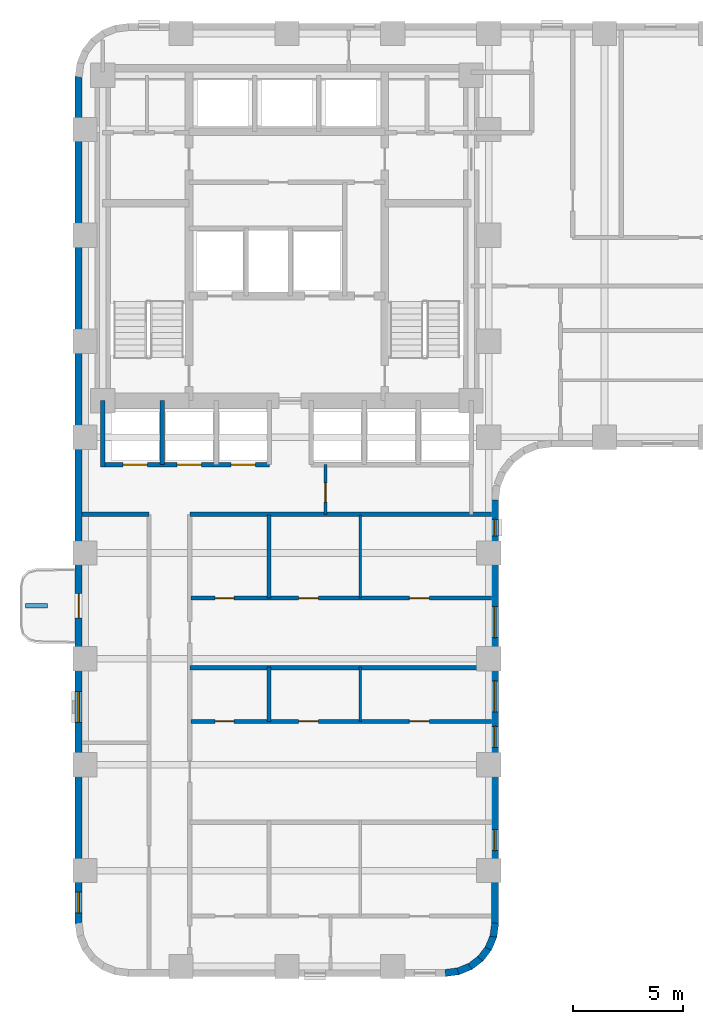
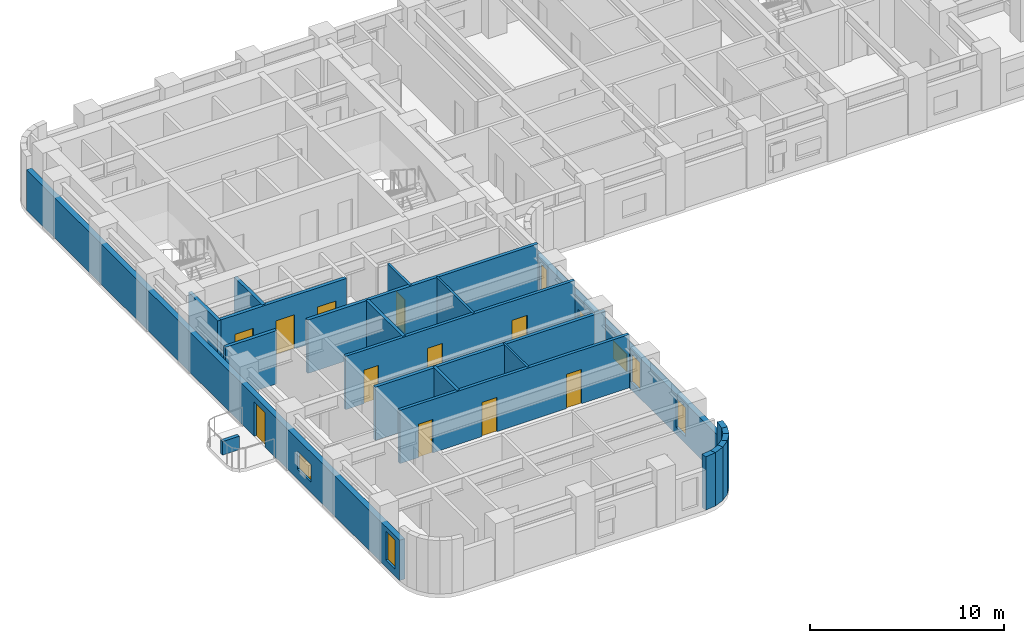
# One storey, part 3 of 10: 22 walls, 11 doors, 7 windows, 18 openings.
"""IFC4 building model written with IfcOpenShell, lengths in metres."""

from ifc_helpers import new_model, si_unit, direction, frame, frame_2d, origin, place, context, subcontext, project, spatial, rectangle, extrude, material, layer, layer_set, type_object, element, fill, save


model = new_model("IFC4")

# Units and contexts
model_context = context("Model", 3, precision=1e-05, world=origin(), true_north=direction((0.0, 1.0)))
body_context = subcontext(model_context, "Body", "Model", "MODEL_VIEW")
ifc_project = project(units=[si_unit("LENGTHUNIT", "METRE"), si_unit("AREAUNIT", "SQUARE_METRE"), si_unit("VOLUMEUNIT", "CUBIC_METRE"), si_unit("PLANEANGLEUNIT", "RADIAN"), si_unit("MASSUNIT", "GRAM", prefix="KILO")], contexts=[model_context])

# Site, building, storey
site_placement = place(None, origin())
site = spatial("IfcSite", under=ifc_project, at=site_placement, CompositionType="ELEMENT")
building_placement = place(site_placement, origin())
building = spatial("IfcBuilding", under=site, at=building_placement, Name="Orvandelia Arch Residences", CompositionType="ELEMENT")
storey_placement = place(building_placement, frame((0.0, 0.0, 75.39990234375)))
storey = spatial("IfcBuildingStorey", under=building, at=storey_placement, Name="L19", CompositionType="ELEMENT", Elevation=75.39990234375)

# Walls
ifc_material_1 = material(Name="Fire-Rated Corridor Partition")
ifc_layer_1 = layer(ifc_material_1, 0.199951171875, Name="Fire-Rated Corridor Partition")
ifc_layer_set_1 = layer_set([ifc_layer_1], Name="Fire-Rated Corridor Partition")
wall_type_1 = type_object("IfcWallType", Name="WL-CORR-200", PredefinedType="PARTITIONING", material=ifc_layer_set_1)
wall_1_placement = place(storey_placement, frame((5.1201171875, 25.75, 0.0), z_axis=(0.0, 0.0, 1.0), x_axis=(1.0, 0.0, 0.0)))
element("IfcWall", 1, at=wall_1_placement, inside=storey, type_object=wall_type_1, Name="Interior Partition Wall WL-L19-WCLS-W", PredefinedType="PARTITIONING", context=body_context, shape_type="SweptSolid", body=[
    extrude(rectangle(XDim=3.02978515625, YDim=0.199951171875, at=frame_2d((1.514892578125, 0.0))), origin(), (0.0, 0.0, 1.0), 3.35009765625),
])
wall_2_placement = place(storey_placement, frame((10.0, 25.75, 0.0), z_axis=(0.0, 0.0, 1.0), x_axis=(1.0, 0.0, 0.0)))
element("IfcWall", 2, at=wall_2_placement, inside=storey, type_object=wall_type_1, Name="Interior Partition Wall WL-L19-WCLS-E", PredefinedType="PARTITIONING", context=body_context, shape_type="SweptSolid", body=[
    extrude(rectangle(XDim=13.679931640625, YDim=0.199951171875, at=frame_2d((6.83984375, 0.0))), origin(), (0.0, 0.0, 1.0), 3.35009765625),
])
ifc_material_2 = material(Name="Concrete C40/50", Category="concrete")
ifc_layer_2 = layer(ifc_material_2, 0.199951171875, Name="Concrete C40/50", Category="concrete")
ifc_layer_set_2 = layer_set([ifc_layer_2], Name="Concrete C40/50")
wall_type_2 = type_object("IfcWallType", Name="WL-DEM-200", PredefinedType="SOLIDWALL", material=ifc_layer_set_2)
wall_3_placement = place(storey_placement, frame((10.0, 18.800048828125, 0.0), z_axis=(0.0, 0.0, 1.0), x_axis=(1.0, 0.0, 0.0)))
element("IfcWall", 3, at=wall_3_placement, inside=storey, type_object=wall_type_2, Name="Interior Partition Wall WL-L19-DEM-WR-188", PredefinedType="SOLIDWALL", context=body_context, shape_type="SweptSolid", body=[
    extrude(rectangle(XDim=13.679931640625, YDim=0.199951171875, at=frame_2d((6.83984375, 0.0))), origin(), (0.0, 0.0, 1.0), 3.35009765625),
])

# Wall, openings, windows
ifc_material_3 = material(Name="Precast concrete C40/50", Category="concrete")
ifc_layer_3 = layer(ifc_material_3, 0.320068359375, Name="Precast concrete C40/50", Category="concrete")
ifc_layer_set_3 = layer_set([ifc_layer_3], Name="Precast concrete C40/50")
wall_type_3 = type_object("IfcWallType", Name="WL-EXT-STONE-320", PredefinedType="STANDARD", material=ifc_layer_set_3)
wall_4_placement = place(storey_placement, frame((23.840087890625, 26.39990234375, 0.0), z_axis=(0.0, 0.0, 1.0), x_axis=(0.0, -1.0, 0.0)))
wall_4 = element("IfcWall", 4, at=wall_4_placement, inside=storey, type_object=wall_type_3, Name="Coral-Limestone Precast Facade Wall L19-028", PredefinedType="STANDARD", context=body_context, shape_type="SweptSolid", body=[
    extrude(rectangle(XDim=19.199951171875, YDim=0.320068359375, at=frame_2d((9.60009765625, 0.0))), origin(), (0.0, 0.0, 1.0), 2.530029296875),
])
opening_1_placement = place(wall_4_placement, frame((14.93994140625, 0.0, 0.449951171875)))
opening_1 = element("IfcOpeningElement", 5, at=opening_1_placement, cuts=wall_4, Name="Opening W4", PredefinedType="OPENING", context=body_context, shape_type="SweptSolid", body=[
    extrude(rectangle(XDim=0.949951171875, YDim=1.800048828125, at=frame_2d((0.47509765625, 0.89990234375))), frame((0.0, 0.169921875, 0.0), z_axis=(0.0, -1.0, 0.0), x_axis=(1.0, 0.0, 0.0)), (0.0, 0.0, 1.0), 0.340087890625),
])
opening_2_placement = place(wall_4_placement, frame((8.2041015625, 0.0, 0.64990234375)))
opening_2 = element("IfcOpeningElement", 6, at=opening_2_placement, cuts=wall_4, Name="Opening W10", PredefinedType="OPENING", context=body_context, shape_type="SweptSolid", body=[
    extrude(rectangle(XDim=1.39990234375, YDim=1.10009765625, at=frame_2d((0.699951171875, 0.550048828125))), frame((0.0, 0.169921875, 0.0), z_axis=(0.0, -1.0, 0.0), x_axis=(1.0, 0.0, 0.0)), (0.0, 0.0, 1.0), 0.340087890625),
])
opening_3_placement = place(wall_4_placement, frame((0.8798828125, 0.0, 0.449951171875)))
opening_3 = element("IfcOpeningElement", 7, at=opening_3_placement, cuts=wall_4, Name="Opening W11", PredefinedType="OPENING", context=body_context, shape_type="SweptSolid", body=[
    extrude(rectangle(XDim=0.75, YDim=1.800048828125, at=frame_2d((0.375, 0.89990234375))), frame((0.0, 0.169921875, 0.0), z_axis=(0.0, -1.0, 0.0), x_axis=(1.0, 0.0, 0.0)), (0.0, 0.0, 1.0), 0.340087890625),
])
opening_4_placement = place(wall_4_placement, frame((10.259033203125, 0.0, 0.449951171875)))
opening_4 = element("IfcOpeningElement", 8, at=opening_4_placement, cuts=wall_4, Name="Opening W4", PredefinedType="OPENING", context=body_context, shape_type="SweptSolid", body=[
    extrude(rectangle(XDim=0.949951171875, YDim=1.800048828125, at=frame_2d((0.47509765625, 0.89990234375))), frame((0.0, 0.169921875, 0.0), z_axis=(0.0, -1.0, 0.0), x_axis=(1.0, 0.0, 0.0)), (0.0, 0.0, 1.0), 0.340087890625),
])
opening_5_placement = place(wall_4_placement, frame((4.837890625, 0.0, 0.64990234375)))
opening_5 = element("IfcOpeningElement", 9, at=opening_5_placement, cuts=wall_4, Name="Opening W10", PredefinedType="OPENING", context=body_context, shape_type="SweptSolid", body=[
    extrude(rectangle(XDim=1.39990234375, YDim=1.10009765625, at=frame_2d((0.699951171875, 0.550048828125))), frame((0.0, 0.169921875, 0.0), z_axis=(0.0, -1.0, 0.0), x_axis=(1.0, 0.0, 0.0)), (0.0, 0.0, 1.0), 0.340087890625),
])
ifc_material_4 = material(Name="Tempered Low-E Insulated Glazing", Category="glass")
window_type_1 = type_object("IfcWindowType", Name="WIN-BED-0750x1800", PartitioningType="SINGLE_PANEL", PredefinedType="WINDOW", material=ifc_material_4)
window_1_placement = place(opening_3_placement, origin())
window_1 = element("IfcWindow", 10, at=window_1_placement, inside=storey, type_object=window_type_1, Name="Recessed Punched Window L19-021", OverallHeight=1.800048828125, OverallWidth=0.75, PartitioningType="SINGLE_PANEL", PredefinedType="WINDOW", context=body_context, shape_type="SweptSolid", body=[
    extrude(rectangle(XDim=0.75, YDim=1.800048828125, at=frame_2d((0.375, 0.89990234375))), frame((0.0, 0.030029296875, 0.0), z_axis=(0.0, -1.0, 0.0), x_axis=(1.0, 0.0, 0.0)), (0.0, 0.0, 1.0), 0.06005859375),
])
fill(opening_3, window_1)
window_type_2 = type_object("IfcWindowType", Name="WIN-CLR-1400x1100", PartitioningType="SINGLE_PANEL", PredefinedType="WINDOW", material=ifc_material_4)
window_2_placement = place(opening_2_placement, origin())
window_2 = element("IfcWindow", 11, at=window_2_placement, inside=storey, type_object=window_type_2, Name="Recessed Punched Window L19-020", OverallHeight=1.10009765625, OverallWidth=1.39990234375, PartitioningType="SINGLE_PANEL", PredefinedType="WINDOW", context=body_context, shape_type="SweptSolid", body=[
    extrude(rectangle(XDim=1.39990234375, YDim=1.10009765625, at=frame_2d((0.699951171875, 0.550048828125))), frame((0.0, 0.030029296875, 0.0), z_axis=(0.0, -1.0, 0.0), x_axis=(1.0, 0.0, 0.0)), (0.0, 0.0, 1.0), 0.06005859375),
])
fill(opening_2, window_2)
window_3_placement = place(opening_5_placement, origin())
window_3 = element("IfcWindow", 12, at=window_3_placement, inside=storey, type_object=window_type_2, Name="Recessed Punched Window L19-023", OverallHeight=1.10009765625, OverallWidth=1.39990234375, PartitioningType="SINGLE_PANEL", PredefinedType="WINDOW", context=body_context, shape_type="SweptSolid", body=[
    extrude(rectangle(XDim=1.39990234375, YDim=1.10009765625, at=frame_2d((0.699951171875, 0.550048828125))), frame((0.0, 0.030029296875, 0.0), z_axis=(0.0, -1.0, 0.0), x_axis=(1.0, 0.0, 0.0)), (0.0, 0.0, 1.0), 0.06005859375),
])
fill(opening_5, window_3)
window_type_3 = type_object("IfcWindowType", Name="WIN-RES-0950x1800", PartitioningType="SINGLE_PANEL", PredefinedType="WINDOW", material=ifc_material_4)
window_4_placement = place(opening_1_placement, origin())
window_4 = element("IfcWindow", 13, at=window_4_placement, inside=storey, type_object=window_type_3, Name="Recessed Punched Window L19-019", OverallHeight=1.800048828125, OverallWidth=0.949951171875, PartitioningType="SINGLE_PANEL", PredefinedType="WINDOW", context=body_context, shape_type="SweptSolid", body=[
    extrude(rectangle(XDim=0.949951171875, YDim=1.800048828125, at=frame_2d((0.47509765625, 0.89990234375))), frame((0.0, 0.030029296875, 0.0), z_axis=(0.0, -1.0, 0.0), x_axis=(1.0, 0.0, 0.0)), (0.0, 0.0, 1.0), 0.06005859375),
])
fill(opening_1, window_4)
window_5_placement = place(opening_4_placement, origin())
window_5 = element("IfcWindow", 14, at=window_5_placement, inside=storey, type_object=window_type_3, Name="Recessed Punched Window L19-022", OverallHeight=1.800048828125, OverallWidth=0.949951171875, PartitioningType="SINGLE_PANEL", PredefinedType="WINDOW", context=body_context, shape_type="SweptSolid", body=[
    extrude(rectangle(XDim=0.949951171875, YDim=1.800048828125, at=frame_2d((0.47509765625, 0.89990234375))), frame((0.0, 0.030029296875, 0.0), z_axis=(0.0, -1.0, 0.0), x_axis=(1.0, 0.0, 0.0)), (0.0, 0.0, 1.0), 0.06005859375),
])
fill(opening_4, window_5)

# Walls
wall_5_placement = place(storey_placement, frame((23.84130859375, 7.220947265625, 0.0), z_axis=(0.0, 0.0, 1.0), x_axis=(-0.130504898859, -0.991447664465, 0.0)))
element("IfcWall", 15, at=wall_5_placement, inside=storey, type_object=wall_type_3, Name="Coral-Limestone Precast Facade Wall L19-029", PredefinedType="STANDARD", context=body_context, shape_type="SweptSolid", body=[
    extrude(rectangle(XDim=0.626708984375, YDim=0.320068359375, at=frame_2d((0.3134765625, 0.0))), origin(), (0.0, 0.0, 1.0), 3.35009765625),
])
wall_6_placement = place(storey_placement, frame((23.7705078125, 6.639892578125, 0.0), z_axis=(0.0, 0.0, 1.0), x_axis=(-0.382787856107, -0.923836271867, 0.0)))
element("IfcWall", 16, at=wall_6_placement, inside=storey, type_object=wall_type_3, Name="Coral-Limestone Precast Facade Wall L19-030", PredefinedType="STANDARD", context=body_context, shape_type="SweptSolid", body=[
    extrude(rectangle(XDim=0.626220703125, YDim=0.320068359375, at=frame_2d((0.31298828125, 0.0))), origin(), (0.0, 0.0, 1.0), 3.35009765625),
])
wall_7_placement = place(storey_placement, frame((23.551513671875, 6.097412109375, 0.0), z_axis=(0.0, 0.0, 1.0), x_axis=(-0.608693302629, -0.793405610854, 0.0)))
element("IfcWall", 17, at=wall_7_placement, inside=storey, type_object=wall_type_3, Name="Coral-Limestone Precast Facade Wall L19-031", PredefinedType="STANDARD", context=body_context, shape_type="SweptSolid", body=[
    extrude(rectangle(XDim=0.62646484375, YDim=0.320068359375, at=frame_2d((0.313232421875, 0.0))), origin(), (0.0, 0.0, 1.0), 3.35009765625),
])
wall_8_placement = place(storey_placement, frame((23.19970703125, 5.6298828125, 0.0), z_axis=(0.0, 0.0, 1.0), x_axis=(-0.7932174212, -0.608938521285, 0.0)))
element("IfcWall", 18, at=wall_8_placement, inside=storey, type_object=wall_type_3, Name="Coral-Limestone Precast Facade Wall L19-032", PredefinedType="STANDARD", context=body_context, shape_type="SweptSolid", body=[
    extrude(rectangle(XDim=0.626708984375, YDim=0.320068359375, at=frame_2d((0.3134765625, 0.0))), origin(), (0.0, 0.0, 1.0), 3.35009765625),
])
for number, where, z_axis, x_axis, name in (
    (19, (22.73876953125, 5.269287109375, 0.0), (0.0, 0.0, 1.0), (-0.92389335771, -0.382650053678, 0.0), "Coral-Limestone Precast Facade Wall L19-033"),
    (20, (22.2001953125, 5.040283203125, 0.0), (0.0, 0.0, 1.0), (-0.9914410257, -0.130555323746, 0.0), "Coral-Limestone Precast Facade Wall L19-034"),
):
    element("IfcWall", number, at=place(storey_placement, frame(where, z_axis=z_axis, x_axis=x_axis)), inside=storey, type_object=wall_type_3, Name=name, PredefinedType="STANDARD", context=body_context, shape_type="SweptSolid", body=[
        extrude(rectangle(XDim=0.62646484375, YDim=0.320068359375, at=frame_2d((0.313232421875, 0.0))), origin(), (0.0, 0.0, 1.0), 3.35009765625),
    ])

# Wall, openings, door, windows
wall_9_placement = place(storey_placement, frame((4.9599609375, 7.199951171875, 0.0), z_axis=(0.0, 0.0, 1.0), x_axis=(0.0, 1.0, 0.0)))
wall_9 = element("IfcWall", 21, at=wall_9_placement, inside=storey, type_object=wall_type_3, Name="Coral-Limestone Precast Facade Wall L19-042", PredefinedType="STANDARD", context=body_context, shape_type="SweptSolid", body=[
    extrude(rectangle(XDim=38.400146484375, YDim=0.320068359375, at=frame_2d((19.2001953125, 0.0))), origin(), (0.0, 0.0, 1.0), 2.530029296875),
])
opening_6_placement = place(wall_9_placement, frame((13.85009765625, 0.0, 0.0)))
opening_6 = element("IfcOpeningElement", 22, at=opening_6_placement, cuts=wall_9, Name="Opening BD1", PredefinedType="OPENING", context=body_context, shape_type="SweptSolid", body=[
    extrude(rectangle(XDim=1.10009765625, YDim=2.14990234375, at=frame_2d((0.550048828125, 1.074951171875))), frame((0.0, 0.169921875, 0.0), z_axis=(0.0, -1.0, 0.0), x_axis=(1.0, 0.0, 0.0)), (0.0, 0.0, 1.0), 0.340087890625),
])
opening_7_placement = place(wall_9_placement, frame((0.469970703125, 0.0, 0.449951171875)))
opening_7 = element("IfcOpeningElement", 23, at=opening_7_placement, cuts=wall_9, Name="Opening W4", PredefinedType="OPENING", context=body_context, shape_type="SweptSolid", body=[
    extrude(rectangle(XDim=0.949951171875, YDim=1.800048828125, at=frame_2d((0.47509765625, 0.89990234375))), frame((0.0, 0.169921875, 0.0), z_axis=(0.0, -1.0, 0.0), x_axis=(1.0, 0.0, 0.0)), (0.0, 0.0, 1.0), 0.340087890625),
])
opening_8_placement = place(wall_9_placement, frame((9.114990234375, 0.0, 0.64990234375)))
opening_8 = element("IfcOpeningElement", 24, at=opening_8_placement, cuts=wall_9, Name="Opening W10", PredefinedType="OPENING", context=body_context, shape_type="SweptSolid", body=[
    extrude(rectangle(XDim=1.39990234375, YDim=1.10009765625, at=frame_2d((0.699951171875, 0.550048828125))), frame((0.0, 0.169921875, 0.0), z_axis=(0.0, -1.0, 0.0), x_axis=(1.0, 0.0, 0.0)), (0.0, 0.0, 1.0), 0.340087890625),
])
ifc_material_5 = material(Name="Thermally Broken Aluminium Glazed Door", Category="aluminium")
door_type_1 = type_object("IfcDoorType", Name="DR-BAL-GLAZ-1100", OperationType="NOTDEFINED", PredefinedType="DOOR", material=ifc_material_5)
door_1_placement = place(opening_6_placement, origin())
door_1 = element("IfcDoor", 25, at=door_1_placement, inside=storey, type_object=door_type_1, Name="Tree Balcony Glazed Door BAL-L19-W1", OperationType="SINGLE_SWING_RIGHT", OverallHeight=2.14990234375, OverallWidth=1.10009765625, PredefinedType="DOOR", context=body_context, shape_type="SweptSolid", body=[
    extrude(rectangle(XDim=1.10009765625, YDim=2.14990234375, at=frame_2d((0.550048828125, 1.074951171875))), frame((0.0, 0.02490234375, 0.0), z_axis=(0.0, -1.0, 0.0), x_axis=(1.0, 0.0, 0.0)), (0.0, 0.0, 1.0), 0.050048828125),
])
fill(opening_6, door_1)
window_6_placement = place(opening_8_placement, origin())
window_6 = element("IfcWindow", 26, at=window_6_placement, inside=storey, type_object=window_type_2, Name="Recessed Punched Window L19-027", OverallHeight=1.10009765625, OverallWidth=1.39990234375, PartitioningType="SINGLE_PANEL", PredefinedType="WINDOW", context=body_context, shape_type="SweptSolid", body=[
    extrude(rectangle(XDim=1.39990234375, YDim=1.10009765625, at=frame_2d((0.699951171875, 0.550048828125))), frame((0.0, 0.030029296875, 0.0), z_axis=(0.0, -1.0, 0.0), x_axis=(1.0, 0.0, 0.0)), (0.0, 0.0, 1.0), 0.06005859375),
])
fill(opening_8, window_6)
window_7_placement = place(opening_7_placement, origin())
window_7 = element("IfcWindow", 27, at=window_7_placement, inside=storey, type_object=window_type_3, Name="Recessed Punched Window L19-026", OverallHeight=1.800048828125, OverallWidth=0.949951171875, PartitioningType="SINGLE_PANEL", PredefinedType="WINDOW", context=body_context, shape_type="SweptSolid", body=[
    extrude(rectangle(XDim=0.949951171875, YDim=1.800048828125, at=frame_2d((0.47509765625, 0.89990234375))), frame((0.0, 0.030029296875, 0.0), z_axis=(0.0, -1.0, 0.0), x_axis=(1.0, 0.0, 0.0)), (0.0, 0.0, 1.0), 0.06005859375),
])
fill(opening_7, window_7)

# Walls
ifc_material_6 = material(Name="Lightweight Gypsum Stud Partition")
ifc_layer_4 = layer(ifc_material_6, 0.1201171875, Name="Lightweight Gypsum Stud Partition")
ifc_layer_set_4 = layer_set([ifc_layer_4], Name="Lightweight Gypsum Stud Partition")
wall_type_4 = type_object("IfcWallType", Name="WL-PART-120", PredefinedType="PARTITIONING", material=ifc_layer_set_4)
wall_10_placement = place(storey_placement, frame((17.720947265625, 16.362060546875, 0.0), z_axis=(0.0, 0.0, 1.0), x_axis=(0.0, 1.0, 0.0)))
element("IfcWall", 28, at=wall_10_placement, inside=storey, type_object=wall_type_4, Name="Interior Partition Wall WL-L19-U02-V2", PredefinedType="PARTITIONING", context=body_context, shape_type="SweptSolid", body=[
    extrude(rectangle(XDim=2.47802734375, YDim=0.1201171875, at=frame_2d((1.239013671875, 0.0))), origin(), (0.0, 0.0, 1.0), 3.35009765625),
])
wall_11_placement = place(storey_placement, frame((17.720947265625, 21.9541015625, 0.0), z_axis=(0.0, 0.0, 1.0), x_axis=(0.0, 1.0, 0.0)))
element("IfcWall", 29, at=wall_11_placement, inside=storey, type_object=wall_type_4, Name="Interior Partition Wall WL-L19-U03-V2", PredefinedType="PARTITIONING", context=body_context, shape_type="SweptSolid", body=[
    extrude(rectangle(XDim=3.765869140625, YDim=0.1201171875, at=frame_2d((1.8828125, 0.0))), origin(), (0.0, 0.0, 1.0), 3.35009765625),
])

# Wall, opening, door
ifc_material_7 = material(Name="Acoustic Gypsum Stud Partition")
ifc_layer_5 = layer(ifc_material_7, 0.14990234375, Name="Acoustic Gypsum Stud Partition")
ifc_layer_set_5 = layer_set([ifc_layer_5], Name="Acoustic Gypsum Stud Partition")
wall_type_5 = type_object("IfcWallType", Name="WL-PART-150", PredefinedType="PARTITIONING", material=ifc_layer_set_5)
wall_12_placement = place(storey_placement, frame((16.14990234375, 25.75, 0.0), z_axis=(0.0, 0.0, 1.0), x_axis=(0.0, 1.0, 0.0)))
wall_12 = element("IfcWall", 30, at=wall_12_placement, inside=storey, type_object=wall_type_5, Name="Interior Partition Wall WL-L19-HLS-EW", PredefinedType="PARTITIONING", context=body_context, shape_type="SweptSolid", body=[
    extrude(rectangle(XDim=2.25, YDim=0.14990234375, at=frame_2d((1.125, 0.0))), origin(), (0.0, 0.0, 1.0), 3.35009765625),
])
opening_9_placement = place(wall_12_placement, frame((0.550048828125, 0.0, 0.0)))
opening_9 = element("IfcOpeningElement", 31, at=opening_9_placement, cuts=wall_12, Name="Opening D5", PredefinedType="OPENING", context=body_context, shape_type="SweptSolid", body=[
    extrude(rectangle(XDim=0.8798828125, YDim=2.10009765625, at=frame_2d((0.43994140625, 1.050048828125))), frame((0.0, 0.0849609375, 0.0), z_axis=(0.0, -1.0, 0.0), x_axis=(1.0, 0.0, 0.0)), (0.0, 0.0, 1.0), 0.169921875),
])
ifc_material_8 = material(Name="Painted Galvanised Steel Service Door", Category="steel")
door_type_2 = type_object("IfcDoorType", Name="DR-SRV-880", OperationType="NOTDEFINED", PredefinedType="DOOR", material=ifc_material_8)
door_2_placement = place(opening_9_placement, origin())
door_2 = element("IfcDoor", 32, at=door_2_placement, inside=storey, type_object=door_type_2, Name="DR-L19-CSZ1A", OperationType="SINGLE_SWING_LEFT", OverallHeight=2.10009765625, OverallWidth=0.8798828125, PredefinedType="DOOR", context=body_context, shape_type="SweptSolid", body=[
    extrude(rectangle(XDim=0.8798828125, YDim=2.10009765625, at=frame_2d((0.43994140625, 1.050048828125))), frame((0.0, 0.02490234375, 0.0), z_axis=(0.0, -1.0, 0.0), x_axis=(1.0, 0.0, 0.0)), (0.0, 0.0, 1.0), 0.050048828125),
])
fill(opening_9, door_2)

# Wall
ifc_layer_6 = layer(ifc_material_3, 0.199951171875, Name="Precast concrete C40/50", Category="concrete")
ifc_layer_set_6 = layer_set([ifc_layer_6], Name="Precast concrete C40/50")
wall_type_6 = type_object("IfcWallType", Name="WL-PLANTER-200", PredefinedType="MOVABLE", material=ifc_layer_set_6)
wall_13_placement = place(storey_placement, frame((2.550048828125, 21.60009765625, 0.0), z_axis=(0.0, 0.0, 1.0), x_axis=(1.0, 0.0, 0.0)))
element("IfcWall", 33, at=wall_13_placement, inside=storey, type_object=wall_type_6, Name="Balcony Precast Tree Planter BAL-L19-W1", PredefinedType="MOVABLE", context=body_context, shape_type="SweptSolid", body=[
    extrude(rectangle(XDim=1.0, YDim=0.199951171875, at=frame_2d((0.5, 0.0))), origin(), (0.0, 0.0, 1.0), 0.85009765625),
])

# Wall, openings, doors
ifc_material_9 = material(Name="Fire-Rated Shaft Enclosure Wall")
ifc_layer_7 = layer(ifc_material_9, 0.199951171875, Name="Fire-Rated Shaft Enclosure Wall")
ifc_layer_set_7 = layer_set([ifc_layer_7], Name="Fire-Rated Shaft Enclosure Wall")
wall_type_7 = type_object("IfcWallType", Name="WL-SHAFT-200", PredefinedType="POLYGONAL", material=ifc_layer_set_7)
wall_14_placement = place(storey_placement, frame((6.050048828125, 28.0, 0.0), z_axis=(0.0, 0.0, 1.0), x_axis=(1.0, 0.0, 0.0)))
wall_14 = element("IfcWall", 34, at=wall_14_placement, inside=storey, type_object=wall_type_7, Name="Interior Partition Wall WL-L19-BNKL-S", PredefinedType="POLYGONAL", context=body_context, shape_type="SweptSolid", body=[
    extrude(rectangle(XDim=7.550048828125, YDim=0.199951171875, at=frame_2d((3.77490234375, 0.0))), origin(), (0.0, 0.0, 1.0), 3.35009765625),
])
opening_10_placement = place(wall_14_placement, frame((0.925048828125, 0.0, 0.0)))
opening_10 = element("IfcOpeningElement", 35, at=opening_10_placement, cuts=wall_14, Name="Opening LD", PredefinedType="OPENING", context=body_context, shape_type="SweptSolid", body=[
    extrude(rectangle(XDim=1.10009765625, YDim=2.14990234375, at=frame_2d((0.550048828125, 1.074951171875))), frame((0.0, 0.10986328125, 0.0), z_axis=(0.0, -1.0, 0.0), x_axis=(1.0, 0.0, 0.0)), (0.0, 0.0, 1.0), 0.219970703125),
])
opening_11_placement = place(wall_14_placement, frame((3.375, 0.0, 0.0)))
opening_11 = element("IfcOpeningElement", 36, at=opening_11_placement, cuts=wall_14, Name="Opening LD", PredefinedType="OPENING", context=body_context, shape_type="SweptSolid", body=[
    extrude(rectangle(XDim=1.10009765625, YDim=2.14990234375, at=frame_2d((0.550048828125, 1.074951171875))), frame((0.0, 0.10986328125, 0.0), z_axis=(0.0, -1.0, 0.0), x_axis=(1.0, 0.0, 0.0)), (0.0, 0.0, 1.0), 0.219970703125),
])
opening_12_placement = place(wall_14_placement, frame((5.824951171875, 0.0, 0.0)))
opening_12 = element("IfcOpeningElement", 37, at=opening_12_placement, cuts=wall_14, Name="Opening LD", PredefinedType="OPENING", context=body_context, shape_type="SweptSolid", body=[
    extrude(rectangle(XDim=1.10009765625, YDim=2.14990234375, at=frame_2d((0.550048828125, 1.074951171875))), frame((0.0, 0.10986328125, 0.0), z_axis=(0.0, -1.0, 0.0), x_axis=(1.0, 0.0, 0.0)), (0.0, 0.0, 1.0), 0.219970703125),
])
ifc_material_10 = material(Name="Brushed Stainless Steel Sliding Lift Door", Category="steel")
door_type_3 = type_object("IfcDoorType", Name="DR-LIFT-1100", OperationType="NOTDEFINED", PredefinedType="DOOR", material=ifc_material_10)
door_3_placement = place(opening_10_placement, origin())
door_3 = element("IfcDoor", 38, at=door_3_placement, inside=storey, type_object=door_type_3, Name="Lift Landing Door LD-PL1", OperationType="SLIDING_TO_LEFT", OverallHeight=2.14990234375, OverallWidth=1.10009765625, PredefinedType="DOOR", context=body_context, shape_type="SweptSolid", body=[
    extrude(rectangle(XDim=1.10009765625, YDim=2.14990234375, at=frame_2d((0.550048828125, 1.074951171875))), frame((0.0, 0.02490234375, 0.0), z_axis=(0.0, -1.0, 0.0), x_axis=(1.0, 0.0, 0.0)), (0.0, 0.0, 1.0), 0.050048828125),
])
fill(opening_10, door_3)
door_4_placement = place(opening_11_placement, origin())
door_4 = element("IfcDoor", 39, at=door_4_placement, inside=storey, type_object=door_type_3, Name="Lift Landing Door LD-PL2", OperationType="SLIDING_TO_RIGHT", OverallHeight=2.14990234375, OverallWidth=1.10009765625, PredefinedType="DOOR", context=body_context, shape_type="SweptSolid", body=[
    extrude(rectangle(XDim=1.10009765625, YDim=2.14990234375, at=frame_2d((0.550048828125, 1.074951171875))), frame((0.0, 0.02490234375, 0.0), z_axis=(0.0, -1.0, 0.0), x_axis=(1.0, 0.0, 0.0)), (0.0, 0.0, 1.0), 0.050048828125),
])
fill(opening_11, door_4)
door_5_placement = place(opening_12_placement, origin())
door_5 = element("IfcDoor", 40, at=door_5_placement, inside=storey, type_object=door_type_3, Name="Lift Landing Door LD-PL3", OperationType="SLIDING_TO_LEFT", OverallHeight=2.14990234375, OverallWidth=1.10009765625, PredefinedType="DOOR", context=body_context, shape_type="SweptSolid", body=[
    extrude(rectangle(XDim=1.10009765625, YDim=2.14990234375, at=frame_2d((0.550048828125, 1.074951171875))), frame((0.0, 0.02490234375, 0.0), z_axis=(0.0, -1.0, 0.0), x_axis=(1.0, 0.0, 0.0)), (0.0, 0.0, 1.0), 0.050048828125),
])
fill(opening_12, door_5)

# Walls
wall_15_placement = place(storey_placement, frame((6.050048828125, 27.89990234375, 0.0), z_axis=(0.0, 0.0, 1.0), x_axis=(0.0, 1.0, 0.0)))
element("IfcWall", 41, at=wall_15_placement, inside=storey, type_object=wall_type_7, Name="Interior Partition Wall WL-L19-BNKL-W", PredefinedType="POLYGONAL", context=body_context, shape_type="SweptSolid", body=[
    extrude(rectangle(XDim=3.0, YDim=0.199951171875, at=frame_2d((1.5, 0.0))), origin(), (0.0, 0.0, 1.0), 3.35009765625),
])
wall_16_placement = place(storey_placement, frame((8.75, 28.0, 0.0), z_axis=(0.0, 0.0, 1.0), x_axis=(0.0, 1.0, 0.0)))
element("IfcWall", 42, at=wall_16_placement, inside=storey, type_object=wall_type_7, Name="Interior Partition Wall WL-L19-BNKD-875", PredefinedType="POLYGONAL", context=body_context, shape_type="SweptSolid", body=[
    extrude(rectangle(XDim=2.89990234375, YDim=0.199951171875, at=frame_2d((1.449951171875, 0.0))), origin(), (0.0, 0.0, 1.0), 3.35009765625),
])

# Wall, openings, doors
ifc_material_11 = material(Name="Moisture-Resistant Plumbing Wall")
ifc_layer_8 = layer(ifc_material_11, 0.179931640625, Name="Moisture-Resistant Plumbing Wall")
ifc_layer_set_8 = layer_set([ifc_layer_8], Name="Moisture-Resistant Plumbing Wall")
wall_type_8 = type_object("IfcWallType", Name="WL-WET-180", PredefinedType="PLUMBINGWALL", material=ifc_layer_set_8)
wall_17_placement = place(storey_placement, frame((10.06005859375, 16.362060546875, 0.0), z_axis=(0.0, 0.0, 1.0), x_axis=(1.0, 0.0, 0.0)))
wall_17 = element("IfcWall", 43, at=wall_17_placement, inside=storey, type_object=wall_type_8, Name="Interior Partition Wall WL-L19-U02-HZ", PredefinedType="PLUMBINGWALL", context=body_context, shape_type="SweptSolid", body=[
    extrude(rectangle(XDim=13.619873046875, YDim=0.179931640625, at=frame_2d((6.81005859375, 0.0))), origin(), (0.0, 0.0, 1.0), 3.35009765625),
])
opening_13_placement = place(wall_17_placement, frame((1.0908203125, 0.0, 0.0)))
opening_13 = element("IfcOpeningElement", 44, at=opening_13_placement, cuts=wall_17, Name="Opening D4", PredefinedType="OPENING", context=body_context, shape_type="SweptSolid", body=[
    extrude(rectangle(XDim=0.860107421875, YDim=2.10009765625, at=frame_2d((0.43017578125, 1.050048828125))), frame((0.0, 0.10009765625, 0.0), z_axis=(0.0, -1.0, 0.0), x_axis=(1.0, 0.0, 0.0)), (0.0, 0.0, 1.0), 0.199951171875),
])
opening_14_placement = place(wall_17_placement, frame((4.8681640625, 0.0, 0.0)))
opening_14 = element("IfcOpeningElement", 45, at=opening_14_placement, cuts=wall_17, Name="Opening D3", PredefinedType="OPENING", context=body_context, shape_type="SweptSolid", body=[
    extrude(rectangle(XDim=0.89990234375, YDim=2.14990234375, at=frame_2d((0.449951171875, 1.074951171875))), frame((0.0, 0.10009765625, 0.0), z_axis=(0.0, -1.0, 0.0), x_axis=(1.0, 0.0, 0.0)), (0.0, 0.0, 1.0), 0.199951171875),
])
opening_15_placement = place(wall_17_placement, frame((9.897216796875, 0.0, 0.0)))
opening_15 = element("IfcOpeningElement", 46, at=opening_15_placement, cuts=wall_17, Name="Opening D3", PredefinedType="OPENING", context=body_context, shape_type="SweptSolid", body=[
    extrude(rectangle(XDim=0.89990234375, YDim=2.14990234375, at=frame_2d((0.449951171875, 1.074951171875))), frame((0.0, 0.10009765625, 0.0), z_axis=(0.0, -1.0, 0.0), x_axis=(1.0, 0.0, 0.0)), (0.0, 0.0, 1.0), 0.199951171875),
])
ifc_material_12 = material(Name="Engineered Timber Flush Door", Category="wood")
door_type_4 = type_object("IfcDoorType", Name="DR-INT-900", OperationType="NOTDEFINED", PredefinedType="DOOR", material=ifc_material_12)
door_6_placement = place(opening_14_placement, origin())
door_6 = element("IfcDoor", 47, at=door_6_placement, inside=storey, type_object=door_type_4, Name="DR-L19-U02-KIT", OperationType="SINGLE_SWING_RIGHT", OverallHeight=2.14990234375, OverallWidth=0.89990234375, PredefinedType="DOOR", context=body_context, shape_type="SweptSolid", body=[
    extrude(rectangle(XDim=0.89990234375, YDim=2.14990234375, at=frame_2d((0.449951171875, 1.074951171875))), frame((0.0, 0.02490234375, 0.0), z_axis=(0.0, -1.0, 0.0), x_axis=(1.0, 0.0, 0.0)), (0.0, 0.0, 1.0), 0.050048828125),
])
fill(opening_14, door_6)
door_7_placement = place(opening_15_placement, origin())
door_7 = element("IfcDoor", 48, at=door_7_placement, inside=storey, type_object=door_type_4, Name="DR-L19-U02-BD1", OperationType="SINGLE_SWING_LEFT", OverallHeight=2.14990234375, OverallWidth=0.89990234375, PredefinedType="DOOR", context=body_context, shape_type="SweptSolid", body=[
    extrude(rectangle(XDim=0.89990234375, YDim=2.14990234375, at=frame_2d((0.449951171875, 1.074951171875))), frame((0.0, 0.02490234375, 0.0), z_axis=(0.0, -1.0, 0.0), x_axis=(1.0, 0.0, 0.0)), (0.0, 0.0, 1.0), 0.050048828125),
])
fill(opening_15, door_7)
ifc_material_13 = material(Name="Moisture-Sealed Timber Bathroom Door", Category="wood")
door_type_5 = type_object("IfcDoorType", Name="DR-WET-900", OperationType="NOTDEFINED", PredefinedType="DOOR", material=ifc_material_13)
door_8_placement = place(opening_13_placement, origin())
door_8 = element("IfcDoor", 49, at=door_8_placement, inside=storey, type_object=door_type_5, Name="DR-L19-U02-BTH", OperationType="SINGLE_SWING_LEFT", OverallHeight=2.10009765625, OverallWidth=0.860107421875, PredefinedType="DOOR", context=body_context, shape_type="SweptSolid", body=[
    extrude(rectangle(XDim=0.860107421875, YDim=2.10009765625, at=frame_2d((0.43017578125, 1.050048828125))), frame((0.0, 0.02490234375, 0.0), z_axis=(0.0, -1.0, 0.0), x_axis=(1.0, 0.0, 0.0)), (0.0, 0.0, 1.0), 0.050048828125),
])
fill(opening_13, door_8)

# Wall
wall_18_placement = place(storey_placement, frame((13.583984375, 16.362060546875, 0.0), z_axis=(0.0, 0.0, 1.0), x_axis=(0.0, 1.0, 0.0)))
element("IfcWall", 50, at=wall_18_placement, inside=storey, type_object=wall_type_8, Name="Interior Partition Wall WL-L19-U02-V1", PredefinedType="PLUMBINGWALL", context=body_context, shape_type="SweptSolid", body=[
    extrude(rectangle(XDim=2.47802734375, YDim=0.179931640625, at=frame_2d((1.239013671875, 0.0))), origin(), (0.0, 0.0, 1.0), 3.35009765625),
])

# Wall, openings, doors
wall_19_placement = place(storey_placement, frame((10.06005859375, 21.9541015625, 0.0), z_axis=(0.0, 0.0, 1.0), x_axis=(1.0, 0.0, 0.0)))
wall_19 = element("IfcWall", 51, at=wall_19_placement, inside=storey, type_object=wall_type_8, Name="Interior Partition Wall WL-L19-U03-HZ", PredefinedType="PLUMBINGWALL", context=body_context, shape_type="SweptSolid", body=[
    extrude(rectangle(XDim=13.619873046875, YDim=0.179931640625, at=frame_2d((6.81005859375, 0.0))), origin(), (0.0, 0.0, 1.0), 3.35009765625),
])
opening_16_placement = place(wall_19_placement, frame((1.0908203125, 0.0, 0.0)))
opening_16 = element("IfcOpeningElement", 52, at=opening_16_placement, cuts=wall_19, Name="Opening D4", PredefinedType="OPENING", context=body_context, shape_type="SweptSolid", body=[
    extrude(rectangle(XDim=0.860107421875, YDim=2.10009765625, at=frame_2d((0.43017578125, 1.050048828125))), frame((0.0, 0.10009765625, 0.0), z_axis=(0.0, -1.0, 0.0), x_axis=(1.0, 0.0, 0.0)), (0.0, 0.0, 1.0), 0.199951171875),
])
opening_17_placement = place(wall_19_placement, frame((4.8681640625, 0.0, 0.0)))
opening_17 = element("IfcOpeningElement", 53, at=opening_17_placement, cuts=wall_19, Name="Opening D3", PredefinedType="OPENING", context=body_context, shape_type="SweptSolid", body=[
    extrude(rectangle(XDim=0.89990234375, YDim=2.14990234375, at=frame_2d((0.449951171875, 1.074951171875))), frame((0.0, 0.10009765625, 0.0), z_axis=(0.0, -1.0, 0.0), x_axis=(1.0, 0.0, 0.0)), (0.0, 0.0, 1.0), 0.199951171875),
])
opening_18_placement = place(wall_19_placement, frame((9.897216796875, 0.0, 0.0)))
opening_18 = element("IfcOpeningElement", 54, at=opening_18_placement, cuts=wall_19, Name="Opening D3", PredefinedType="OPENING", context=body_context, shape_type="SweptSolid", body=[
    extrude(rectangle(XDim=0.89990234375, YDim=2.14990234375, at=frame_2d((0.449951171875, 1.074951171875))), frame((0.0, 0.10009765625, 0.0), z_axis=(0.0, -1.0, 0.0), x_axis=(1.0, 0.0, 0.0)), (0.0, 0.0, 1.0), 0.199951171875),
])
door_9_placement = place(opening_17_placement, origin())
door_9 = element("IfcDoor", 55, at=door_9_placement, inside=storey, type_object=door_type_4, Name="DR-L19-U03-KIT", OperationType="SINGLE_SWING_LEFT", OverallHeight=2.14990234375, OverallWidth=0.89990234375, PredefinedType="DOOR", context=body_context, shape_type="SweptSolid", body=[
    extrude(rectangle(XDim=0.89990234375, YDim=2.14990234375, at=frame_2d((0.449951171875, 1.074951171875))), frame((0.0, 0.02490234375, 0.0), z_axis=(0.0, -1.0, 0.0), x_axis=(1.0, 0.0, 0.0)), (0.0, 0.0, 1.0), 0.050048828125),
])
fill(opening_17, door_9)
door_10_placement = place(opening_18_placement, origin())
door_10 = element("IfcDoor", 56, at=door_10_placement, inside=storey, type_object=door_type_4, Name="DR-L19-U03-BD1", OperationType="SINGLE_SWING_RIGHT", OverallHeight=2.14990234375, OverallWidth=0.89990234375, PredefinedType="DOOR", context=body_context, shape_type="SweptSolid", body=[
    extrude(rectangle(XDim=0.89990234375, YDim=2.14990234375, at=frame_2d((0.449951171875, 1.074951171875))), frame((0.0, 0.02490234375, 0.0), z_axis=(0.0, -1.0, 0.0), x_axis=(1.0, 0.0, 0.0)), (0.0, 0.0, 1.0), 0.050048828125),
])
fill(opening_18, door_10)
door_11_placement = place(opening_16_placement, origin())
door_11 = element("IfcDoor", 57, at=door_11_placement, inside=storey, type_object=door_type_5, Name="DR-L19-U03-BTH", OperationType="SINGLE_SWING_RIGHT", OverallHeight=2.10009765625, OverallWidth=0.860107421875, PredefinedType="DOOR", context=body_context, shape_type="SweptSolid", body=[
    extrude(rectangle(XDim=0.860107421875, YDim=2.10009765625, at=frame_2d((0.43017578125, 1.050048828125))), frame((0.0, 0.02490234375, 0.0), z_axis=(0.0, -1.0, 0.0), x_axis=(1.0, 0.0, 0.0)), (0.0, 0.0, 1.0), 0.050048828125),
])
fill(opening_16, door_11)

# Wall
wall_20_placement = place(storey_placement, frame((13.583984375, 21.9541015625, 0.0), z_axis=(0.0, 0.0, 1.0), x_axis=(0.0, 1.0, 0.0)))
element("IfcWall", 58, at=wall_20_placement, inside=storey, type_object=wall_type_8, Name="Interior Partition Wall WL-L19-U03-V1", PredefinedType="PLUMBINGWALL", context=body_context, shape_type="SweptSolid", body=[
    extrude(rectangle(XDim=3.765869140625, YDim=0.179931640625, at=frame_2d((1.8828125, 0.0))), origin(), (0.0, 0.0, 1.0), 3.35009765625),
])

save(model, "model.ifc")
